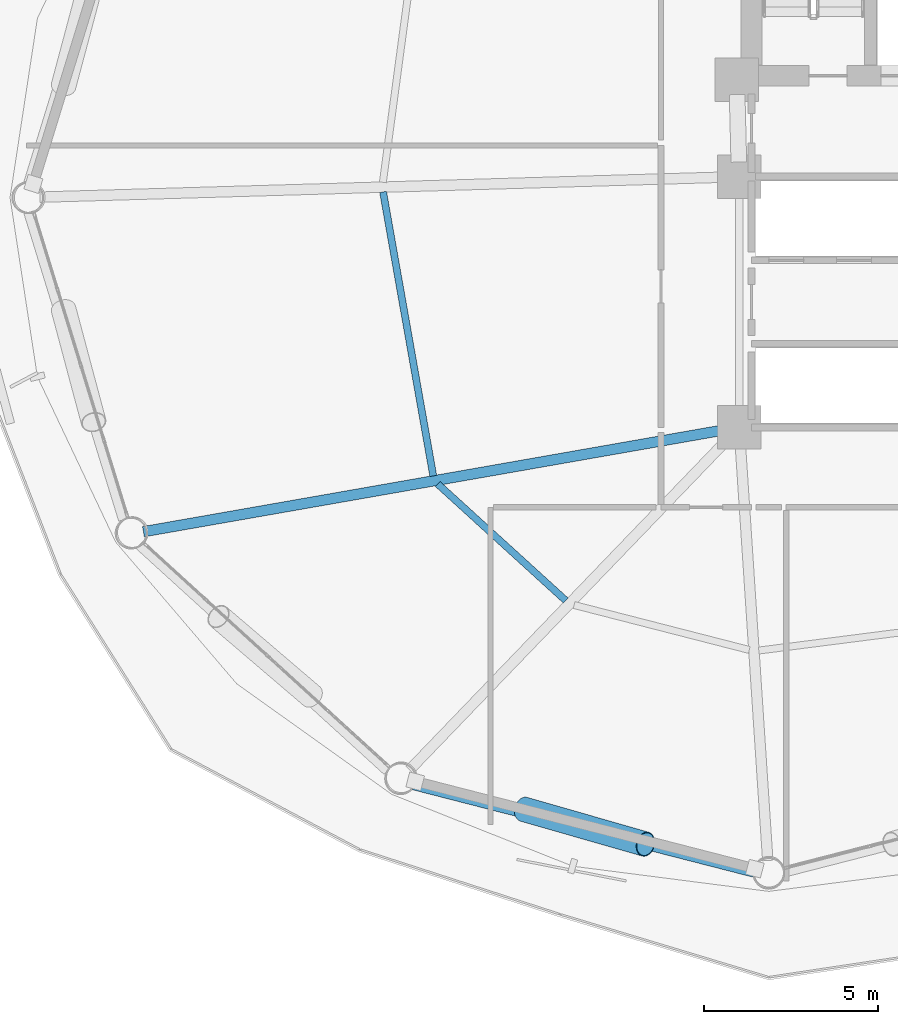
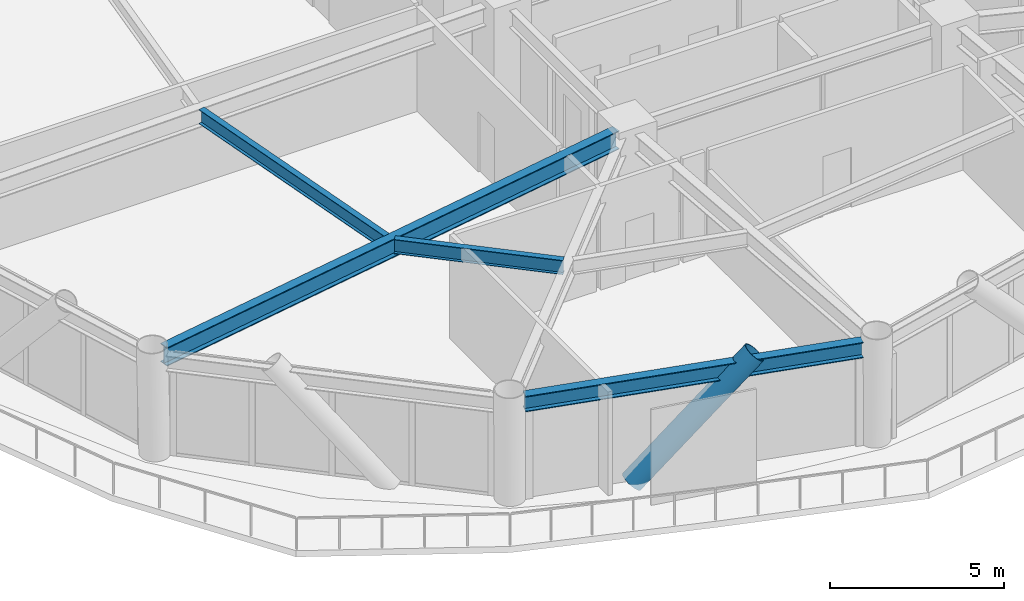
# One storey, part 4 of 25: 4 beams, 1 member.
"""IFC4 building model written with IfcOpenShell, lengths in metres."""

from ifc_helpers import new_model, si_unit, direction, frame, origin, origin_2d, place, context, subcontext, project, spatial, hollow_circle, i_section, extrude, material, material_profile, profile_set, type_object, element, save


model = new_model("IFC4")

# Units and contexts
model_context = context("Model", 3, precision=1e-05, world=origin(), true_north=direction((0.0, 1.0)))
body_context = subcontext(model_context, "Body", "Model", "MODEL_VIEW")
ifc_project = project(units=[si_unit("LENGTHUNIT", "METRE"), si_unit("AREAUNIT", "SQUARE_METRE"), si_unit("VOLUMEUNIT", "CUBIC_METRE"), si_unit("PLANEANGLEUNIT", "RADIAN"), si_unit("MASSUNIT", "GRAM", prefix="KILO")], contexts=[model_context])

# Site, building, storey
site_placement = place(None, origin())
site = spatial("IfcSite", under=ifc_project, at=site_placement, CompositionType="ELEMENT")
building_placement = place(site_placement, origin())
building = spatial("IfcBuilding", under=site, at=building_placement, Name="Varnakorn Sky Granary", CompositionType="ELEMENT")
storey_placement = place(building_placement, frame((0.0, 0.0, 54.89990234375)))
storey = spatial("IfcBuildingStorey", under=building, at=storey_placement, Name="L13", CompositionType="ELEMENT", Elevation=54.89990234375)

# Beams
ifc_material_1 = material(Name="Steel S355JR", Category="steel")
ifc_material_profile_1 = material_profile(ifc_material_1, i_section(OverallWidth=0.300048828125, OverallDepth=0.64990234375, WebThickness=0.01611328125, FlangeThickness=0.031005859375, at=origin_2d()), Name="HE 650 B")
ifc_profile_set_1 = profile_set([ifc_material_profile_1], Name="Steel S355JR")
beam_type_1 = type_object("IfcBeamType", Name="BM-RAD-Z1", PredefinedType="BEAM", material=ifc_profile_set_1)
beam_1_placement = place(storey_placement, frame((-2.763671875, -6.672607421875, 3.315185546875), z_axis=(-0.98497970955, -0.172670124153, 0.0), x_axis=(0.172670124153, -0.98497970955, 0.0)))
element("IfcBeam", 1, at=beam_1_placement, inside=storey, type_object=beam_type_1, Name="Radial Floor Girder RG08 L13", PredefinedType="BEAM", context=body_context, shape_type="SweptSolid", body=[
    extrude(i_section(OverallWidth=0.300048828125, OverallDepth=0.64990234375, WebThickness=0.01611328125, FlangeThickness=0.031005859375, at=origin_2d()), origin(), (0.0, 0.0, 1.0), 16.96142578125),
])
ifc_material_profile_2 = material_profile(ifc_material_1, i_section(OverallWidth=0.199951171875, OverallDepth=0.5, WebThickness=0.01025390625, FlangeThickness=0.01611328125, at=origin_2d()), Name="IPE 500")
ifc_profile_set_2 = profile_set([ifc_material_profile_2], Name="Steel S355JR")
beam_type_2 = type_object("IfcBeamType", Name="BM-SEC-Z1", PredefinedType="BEAM", material=ifc_profile_set_2)
beam_2_placement = place(storey_placement, frame((-12.58349609375, 0.162353515625, 3.39013671875), z_axis=(0.174007152574, -0.984744388587, 0.0), x_axis=(0.984744388587, 0.174007152574, 0.0)))
element("IfcBeam", 2, at=beam_2_placement, inside=storey, type_object=beam_type_2, Name="Secondary Floor Chord Beam MSB07 L13", PredefinedType="BEAM", context=body_context, shape_type="SweptSolid", body=[
    extrude(i_section(OverallWidth=0.199951171875, OverallDepth=0.5, WebThickness=0.01025390625, FlangeThickness=0.01611328125, at=origin_2d()), origin(), (0.0, 0.0, 1.0), 8.287841796875),
])
beam_3_placement = place(storey_placement, frame((-11.013427734375, -8.231201171875, 3.39013671875), z_axis=(0.739646851159, -0.672995197286, 0.0), x_axis=(0.672995197286, 0.739646851159, 0.0)))
element("IfcBeam", 3, at=beam_3_placement, inside=storey, type_object=beam_type_2, Name="Secondary Floor Chord Beam MSB08 L13", PredefinedType="BEAM", context=body_context, shape_type="SweptSolid", body=[
    extrude(i_section(OverallWidth=0.199951171875, OverallDepth=0.5, WebThickness=0.01025390625, FlangeThickness=0.01611328125, at=origin_2d()), origin(), (0.0, 0.0, 1.0), 4.974365234375),
])
ifc_material_profile_3 = material_profile(ifc_material_1, i_section(OverallWidth=0.300048828125, OverallDepth=0.550048828125, WebThickness=0.014892578125, FlangeThickness=0.029052734375, at=origin_2d()), Name="HE 550 B")
ifc_profile_set_3 = profile_set([ifc_material_profile_3], Name="Steel S355JR")
beam_type_3 = type_object("IfcBeamType", Name="BM-SPD-Z1", PredefinedType="SPANDREL", material=ifc_profile_set_3)
beam_4_placement = place(storey_placement, frame((-11.698486328125, -16.871826171875, 3.364990234375), z_axis=(0.968591261457, -0.248658336337, 0.0), x_axis=(0.248658336337, 0.968591261457, 0.0)))
element("IfcBeam", 4, at=beam_4_placement, inside=storey, type_object=beam_type_3, Name="Perimeter Spandrel Ring Beam RB09 L13", PredefinedType="SPANDREL", context=body_context, shape_type="SweptSolid", body=[
    extrude(i_section(OverallWidth=0.300048828125, OverallDepth=0.550048828125, WebThickness=0.014892578125, FlangeThickness=0.029052734375, at=origin_2d()), origin(), (0.0, 0.0, 1.0), 10.08740234375),
])

# Member
ifc_material_2 = material(Name="Steel S460M", Category="steel")
ifc_material_profile_4 = material_profile(ifc_material_2, hollow_circle(Radius=0.35546875, WallThickness=0.02490234375, at=origin_2d()), Name="CHS 711x25")
ifc_profile_set_4 = profile_set([ifc_material_profile_4], Name="Steel S460M")
member_type = type_object("IfcMemberType", Name="MB-DIAG-T0", PredefinedType="BRACE", material=ifc_profile_set_4)
member_placement = place(storey_placement, frame((-8.539794921875, -17.577392578125, -0.1298828125), z_axis=(0.653948513729, -0.187566274111, 0.732918982021), x_axis=(0.275704662497, 0.961242393508, 0.0)))
element("IfcMember", 5, at=member_placement, inside=storey, type_object=member_type, Name="Perimeter CHS Diagrid Brace DG09 L13", PredefinedType="BRACE", context=body_context, shape_type="SweptSolid", body=[
    extrude(hollow_circle(Radius=0.35546875, WallThickness=0.02490234375, at=origin_2d()), origin(), (0.0, 0.0, 1.0), 5.348388671875),
])

save(model, "model.ifc")
